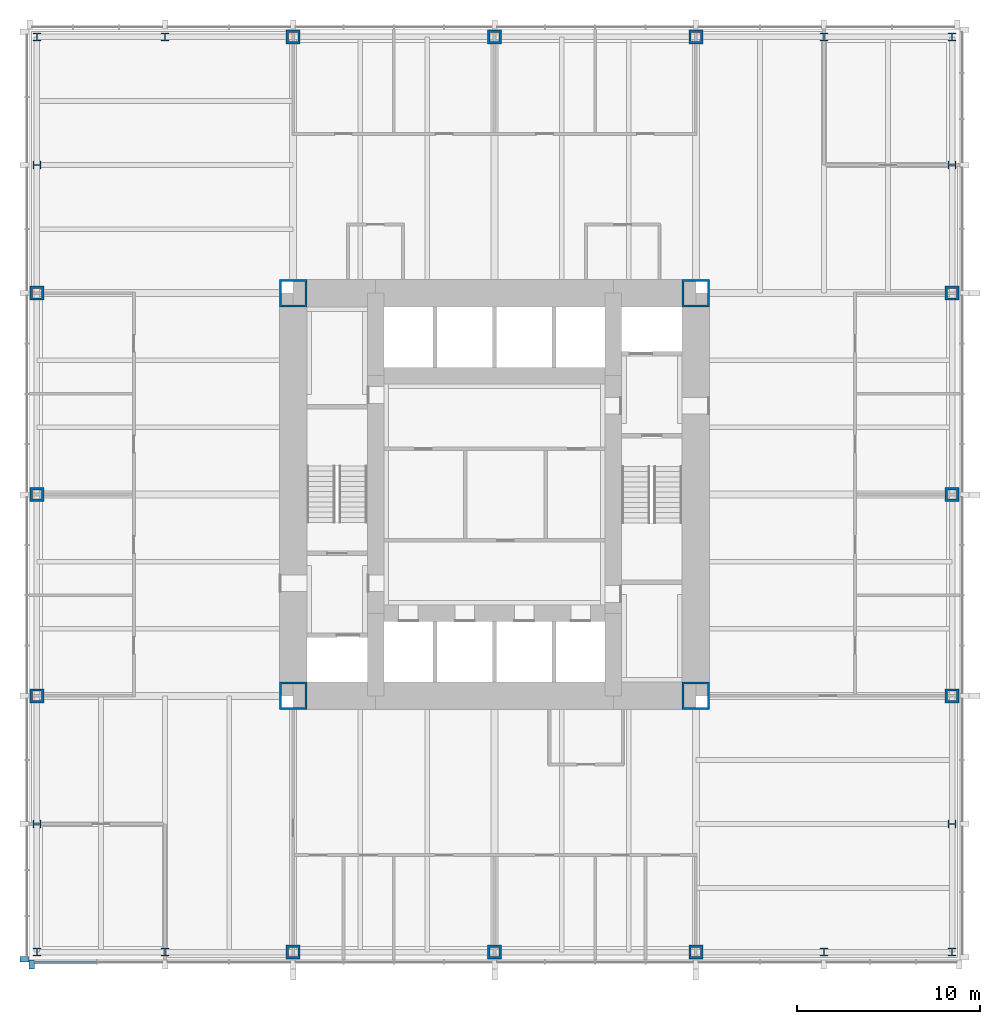
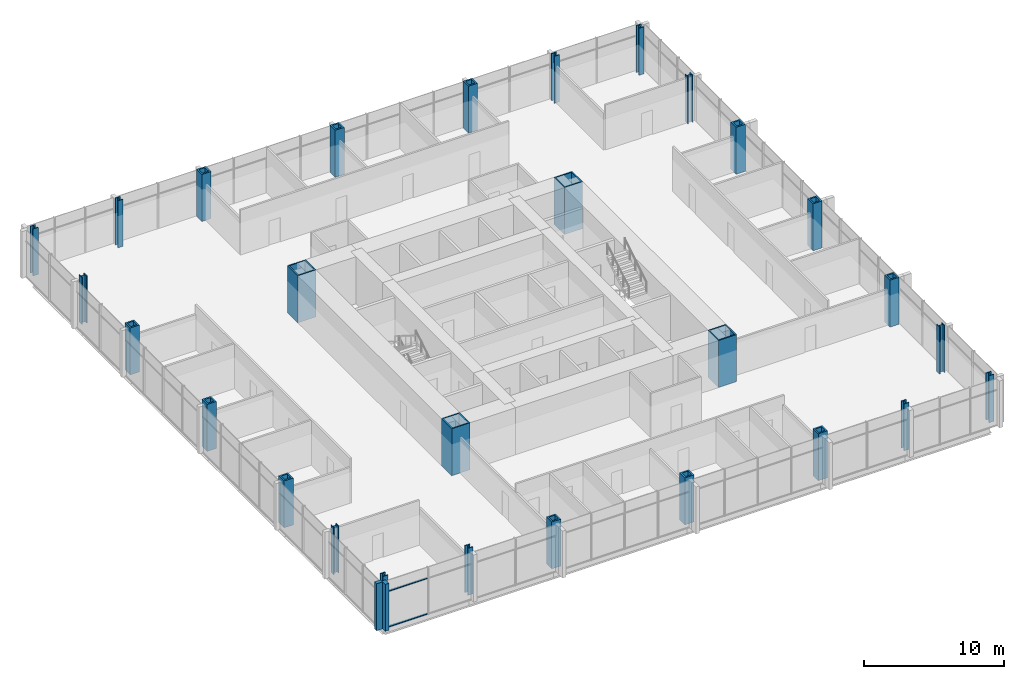
# One storey, part 1 of 12: 28 columns, 4 members, 2 elements without a shape of their own.
"""IFC4 building model written with IfcOpenShell, lengths in metres."""

from ifc_helpers import new_model, si_unit, direction, frame, origin, origin_2d, place, context, subcontext, project, spatial, rectangle, hollow_rectangle, i_section, extrude, material, material_profile, profile_set, type_object, element, aggregate, save


model = new_model("IFC4")

# Units and contexts
model_context = context("Model", 3, precision=1e-05, world=origin(), true_north=direction((0.0, 1.0)))
body_context = subcontext(model_context, "Body", "Model", "MODEL_VIEW")
ifc_project = project(units=[si_unit("LENGTHUNIT", "METRE"), si_unit("AREAUNIT", "SQUARE_METRE"), si_unit("VOLUMEUNIT", "CUBIC_METRE"), si_unit("PLANEANGLEUNIT", "RADIAN"), si_unit("MASSUNIT", "GRAM", prefix="KILO")], contexts=[model_context])

# Site, building, storey
site_placement = place(None, origin())
site = spatial("IfcSite", under=ifc_project, at=site_placement, CompositionType="ELEMENT")
building_placement = place(site_placement, origin())
building = spatial("IfcBuilding", under=site, at=building_placement, Name="Trevanion Tower", CompositionType="ELEMENT")
storey_placement = place(building_placement, frame((0.0, 0.0, 73.39990234375)))
storey = spatial("IfcBuildingStorey", under=building, at=storey_placement, Name="L17", CompositionType="ELEMENT", Elevation=73.39990234375)

# Columns
ifc_material_1 = material(Name="Steel ASTM A588 Grade 50", Category="steel")
ifc_material_profile_1 = material_profile(ifc_material_1, hollow_rectangle(XDim=0.761962890625, YDim=0.761962890625, WallThickness=0.126953125, at=origin_2d()), Name="BOX30X30X5")
ifc_profile_set_1 = profile_set([ifc_material_profile_1], Name="Steel ASTM A588 Grade 50")
column_type_1 = type_object("IfcColumnType", Name="C1 BOX30X30X5", PredefinedType="COLUMN", material=ifc_profile_set_1)
for number, where, z_axis, x_axis, name in (
    (1, (-25.0, 0.0, 0.0), (0.0, 0.0, 1.0), (0.0, 1.0, 0.0), "C1 3/H L17"),
    (2, (-25.0, -11.0, 0.0), (0.0, 0.0, 1.0), (0.0, 1.0, 0.0), "C1 3/F L17"),
    (3, (-11.0, -25.0, 0.0), (0.0, 0.0, 1.0), (1.0, 0.0, 0.0), "C1 8/A L17"),
    (4, (0.0, -25.0, 0.0), (0.0, 0.0, 1.0), (1.0, 0.0, 0.0), "C1 10/A L17"),
    (5, (11.0, -25.0, 0.0), (0.0, 0.0, 1.0), (1.0, 0.0, 0.0), "C1 12/A L17"),
    (6, (25.0, -11.0, 0.0), (0.0, 0.0, 1.0), (0.0, 1.0, 0.0), "C1 17/F L17"),
    (7, (25.0, 0.0, 0.0), (0.0, 0.0, 1.0), (0.0, 1.0, 0.0), "C1 17/H L17"),
    (8, (25.0, 11.0, 0.0), (0.0, 0.0, 1.0), (0.0, 1.0, 0.0), "C1 17/K L17"),
    (9, (11.0, 25.0, 0.0), (0.0, 0.0, 1.0), (1.0, 0.0, 0.0), "C1 12/Q L17"),
    (10, (0.0, 25.0, 0.0), (0.0, 0.0, 1.0), (1.0, 0.0, 0.0), "C1 10/Q L17"),
    (11, (-11.0, 25.0, 0.0), (0.0, 0.0, 1.0), (1.0, 0.0, 0.0), "C1 8/Q L17"),
    (12, (-25.0, 11.0, 0.0), (0.0, 0.0, 1.0), (0.0, 1.0, 0.0), "C1 3/K L17"),
):
    element("IfcColumn", number, at=place(storey_placement, frame(where, z_axis=z_axis, x_axis=x_axis)), inside=storey, type_object=column_type_1, Name=name, PredefinedType="COLUMN", context=body_context, shape_type="SweptSolid", body=[
        extrude(hollow_rectangle(XDim=0.761962890625, YDim=0.761962890625, WallThickness=0.126953125, at=origin_2d()), origin(), (0.0, 0.0, 1.0), 4.10009765625),
    ])
ifc_material_2 = material(Name="Steel ASTM A913 Grade 65", Category="steel")
ifc_material_profile_2 = material_profile(ifc_material_2, i_section(OverallWidth=0.419189453125, OverallDepth=0.45458984375, WebThickness=0.042236328125, FlangeThickness=0.067626953125, at=origin_2d()), Name="W14X370")
ifc_profile_set_2 = profile_set([ifc_material_profile_2], Name="Steel ASTM A913 Grade 65")
column_type_2 = type_object("IfcColumnType", Name="C2 W14X370", PredefinedType="COLUMN", material=ifc_profile_set_2)
for number, where, z_axis, x_axis, name in (
    (13, (-25.0, -18.0, 0.0), (0.0, 0.0, 1.0), (0.0, 1.0, 0.0), "C2 3/D L17"),
    (14, (-25.0, -25.0, 0.0), (0.0, 0.0, 1.0), (1.0, 0.0, 0.0), "C2 3/A L17"),
    (15, (-18.0, -25.0, 0.0), (0.0, 0.0, 1.0), (1.0, 0.0, 0.0), "C2 6/A L17"),
    (16, (18.0, -25.0, 0.0), (0.0, 0.0, 1.0), (1.0, 0.0, 0.0), "C2 14/A L17"),
    (17, (25.0, -25.0, 0.0), (0.0, 0.0, 1.0), (1.0, 0.0, 0.0), "C2 17/A L17"),
    (18, (25.0, -18.0, 0.0), (0.0, 0.0, 1.0), (0.0, 1.0, 0.0), "C2 17/D L17"),
    (19, (25.0, 18.0, 0.0), (0.0, 0.0, 1.0), (0.0, 1.0, 0.0), "C2 17/M L17"),
    (20, (25.0, 25.0, 0.0), (0.0, 0.0, 1.0), (1.0, 0.0, 0.0), "C2 17/Q L17"),
    (21, (18.0, 25.0, 0.0), (0.0, 0.0, 1.0), (1.0, 0.0, 0.0), "C2 14/Q L17"),
    (22, (-18.0, 25.0, 0.0), (0.0, 0.0, 1.0), (1.0, 0.0, 0.0), "C2 6/Q L17"),
    (23, (-25.0, 25.0, 0.0), (0.0, 0.0, 1.0), (1.0, 0.0, 0.0), "C2 3/Q L17"),
    (24, (-25.0, 18.0, 0.0), (0.0, 0.0, 1.0), (0.0, 1.0, 0.0), "C2 3/M L17"),
):
    element("IfcColumn", number, at=place(storey_placement, frame(where, z_axis=z_axis, x_axis=x_axis)), inside=storey, type_object=column_type_2, Name=name, PredefinedType="COLUMN", context=body_context, shape_type="SweptSolid", body=[
        extrude(i_section(OverallWidth=0.419189453125, OverallDepth=0.45458984375, WebThickness=0.042236328125, FlangeThickness=0.067626953125, at=origin_2d()), origin(), (0.0, 0.0, 1.0), 4.10009765625),
    ])
ifc_material_3 = material(Name="Steel ASTM A572 Grade 50", Category="steel")
ifc_material_profile_3 = material_profile(ifc_material_3, hollow_rectangle(XDim=1.49853515625, YDim=1.49853515625, WallThickness=0.1015625, at=origin_2d()), Name="BOX59X59X4")
ifc_profile_set_3 = profile_set([ifc_material_profile_3], Name="Steel ASTM A572 Grade 50")
column_type_3 = type_object("IfcColumnType", Name="CB1 BOX59X59X4", PredefinedType="COLUMN", material=ifc_profile_set_3)
for number, where, z_axis, x_axis, name in (
    (25, (11.0, 11.0, 0.0), (0.0, 0.0, 1.0), (1.0, 0.0, 0.0), "CB1 NE L17"),
    (26, (-11.0, 11.0, 0.0), (0.0, 0.0, 1.0), (1.0, 0.0, 0.0), "CB1 NW L17"),
    (27, (-11.0, -11.0, 0.0), (0.0, 0.0, 1.0), (1.0, 0.0, 0.0), "CB1 SW L17"),
    (28, (11.0, -11.0, 0.0), (0.0, 0.0, 1.0), (1.0, 0.0, 0.0), "CB1 SE L17"),
):
    element("IfcColumn", number, at=place(storey_placement, frame(where, z_axis=z_axis, x_axis=x_axis)), inside=storey, type_object=column_type_3, Name=name, PredefinedType="COLUMN", context=body_context, shape_type="SweptSolid", body=[
        extrude(hollow_rectangle(XDim=1.49853515625, YDim=1.49853515625, WallThickness=0.1015625, at=origin_2d()), origin(), (0.0, 0.0, 1.0), 4.10009765625),
    ])

# Curtain wall, member
ifc_material_4 = material(Name="Aluminium and glass", Category="aluminium")
curtain_wall_type = type_object("IfcCurtainWallType", Name="CW1 curtain wall", PredefinedType="USERDEFINED", material=ifc_material_4)
curtain_wall_1_placement = place(storey_placement, origin())
curtain_wall_1 = element("IfcCurtainWall", 29, at=curtain_wall_1_placement, inside=storey, type_object=curtain_wall_type, Name="CW1 L17 2", ObjectType="UNITISED CURTAIN WALL", PredefinedType="USERDEFINED")
ifc_material_5 = material(Name="Aluminium extrusion, anodised bronze", Category="aluminium")
ifc_material_profile_4 = material_profile(ifc_material_5, rectangle(XDim=0.300048828125, YDim=0.5, at=origin_2d()), Name="CW1 pier mullion")
ifc_profile_set_4 = profile_set([ifc_material_profile_4], Name="Aluminium extrusion, anodised bronze")
member_type_1 = type_object("IfcMemberType", Name="CW1 pier mullion", PredefinedType="MULLION", material=ifc_profile_set_4)
member_1_placement = place(storey_placement, frame((-25.675048828125, -25.39990234375, -0.18994140625), z_axis=(0.0, 0.0, 1.0), x_axis=(0.0, -1.0, 0.0)))
member_1 = element("IfcMember", 30, at=member_1_placement, type_object=member_type_1, Name="CW1 pier mullion 18", PredefinedType="MULLION", context=body_context, shape_type="SweptSolid", body=[
    extrude(rectangle(XDim=0.300048828125, YDim=0.5, at=origin_2d()), origin(), (0.0, 0.0, 1.0), 4.10009765625),
])
aggregate(curtain_wall_1, [member_1])

# Curtain wall, members
curtain_wall_2_placement = place(storey_placement, origin())
curtain_wall_2 = element("IfcCurtainWall", 31, at=curtain_wall_2_placement, inside=storey, type_object=curtain_wall_type, Name="CW1 L17 3", ObjectType="UNITISED CURTAIN WALL", PredefinedType="USERDEFINED")
member_2_placement = place(storey_placement, frame((-25.27001953125, -25.675048828125, -0.18994140625), z_axis=(0.0, 0.0, 1.0), x_axis=(1.0, 0.0, 0.0)))
member_2 = element("IfcMember", 32, at=member_2_placement, type_object=member_type_1, Name="CW1 pier mullion 1", PredefinedType="MULLION", context=body_context, shape_type="SweptSolid", body=[
    extrude(rectangle(XDim=0.300048828125, YDim=0.5, at=origin_2d()), origin(), (0.0, 0.0, 1.0), 4.10009765625),
])
ifc_material_6 = material(Name="Aluminium extrusion, anodised bronze", Category="aluminium")
ifc_material_profile_5 = material_profile(ifc_material_6, rectangle(XDim=0.14990234375, YDim=0.074951171875, at=origin_2d()), Name="CW1 transom")
ifc_profile_set_5 = profile_set([ifc_material_profile_5], Name="Aluminium extrusion, anodised bronze")
member_type_2 = type_object("IfcMemberType", Name="CW1 transom", PredefinedType="USERDEFINED", material=ifc_profile_set_5)
member_3_placement = place(storey_placement, frame((-25.1201171875, -25.550048828125, -0.15234375), z_axis=(1.0, 0.0, 0.0), x_axis=(0.0, 1.0, 0.0)))
member_3 = element("IfcMember", 33, at=member_3_placement, type_object=member_type_2, Name="CW1 transom 1.1", ObjectType="TRANSOM", PredefinedType="USERDEFINED", context=body_context, shape_type="SweptSolid", body=[
    extrude(rectangle(XDim=0.14990234375, YDim=0.074951171875, at=origin_2d()), origin(), (0.0, 0.0, 1.0), 3.37255859375),
])
member_4_placement = place(storey_placement, frame((-25.1201171875, -25.550048828125, 2.960205078125), z_axis=(1.0, 0.0, 0.0), x_axis=(0.0, 1.0, 0.0)))
member_4 = element("IfcMember", 34, at=member_4_placement, type_object=member_type_2, Name="CW1 transom 1.2", ObjectType="TRANSOM", PredefinedType="USERDEFINED", context=body_context, shape_type="SweptSolid", body=[
    extrude(rectangle(XDim=0.14990234375, YDim=0.074951171875, at=origin_2d()), origin(), (0.0, 0.0, 1.0), 3.37255859375),
])
aggregate(curtain_wall_2, [member_2, member_3, member_4])

save(model, "model.ifc")
